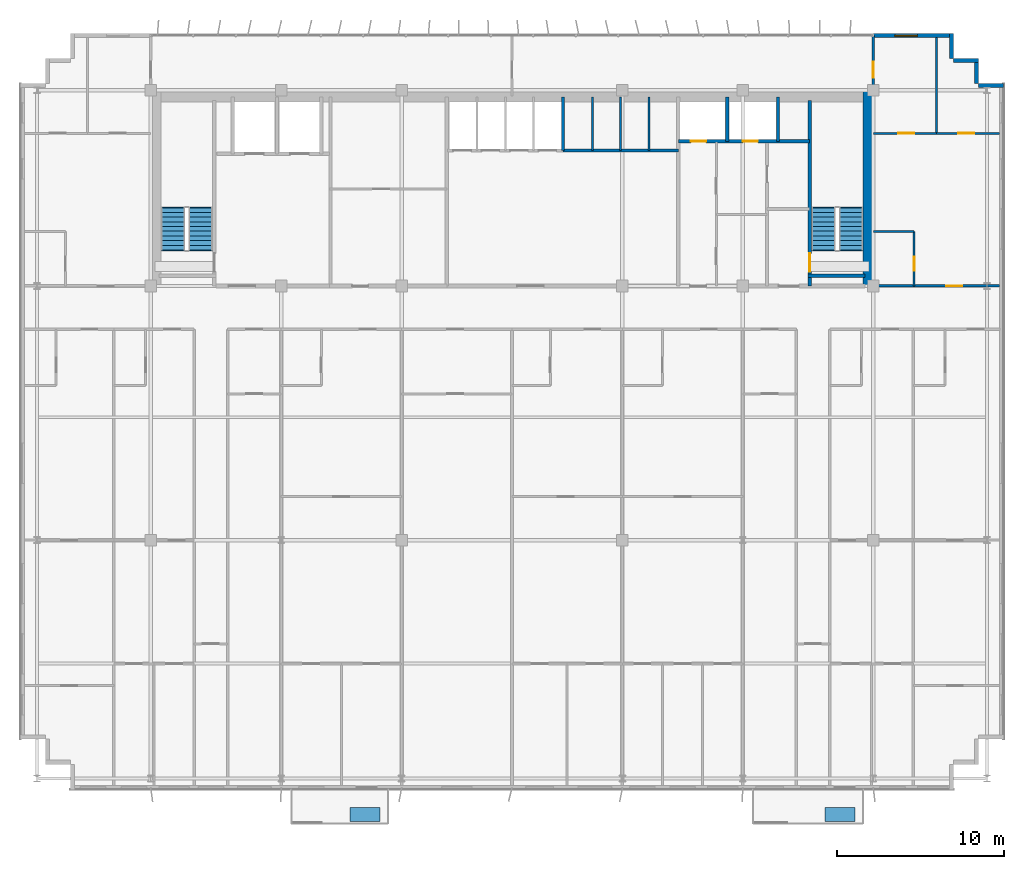
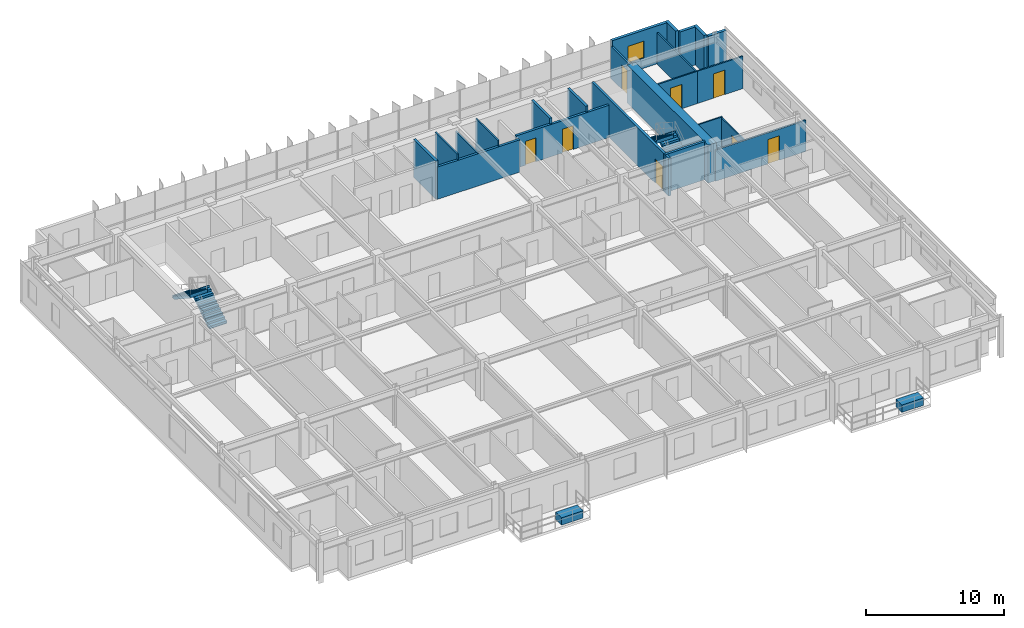
# One storey, part 19 of 21: 23 walls, 8 doors, 4 stair flights, 2 discrete accessories, 1 window, 9 openings, 2 elements without a shape of their own.
"""IFC4 building model written with IfcOpenShell, lengths in metres."""

from ifc_helpers import new_model, si_unit, direction, frame, frame_2d, origin, origin_2d, place, context, subcontext, project, spatial, polyline, rectangle, outline, extrude, source, transform, mapped, material, layer, layer_set, type_object, element, fill, aggregate, save


model = new_model("IFC4")

# Units and contexts
model_context = context("Model", 3, precision=1e-05, world=origin(), true_north=direction((0.0, 1.0)))
body_context = subcontext(model_context, "Body", "Model", "MODEL_VIEW")
ifc_project = project(units=[si_unit("LENGTHUNIT", "METRE"), si_unit("AREAUNIT", "SQUARE_METRE"), si_unit("VOLUMEUNIT", "CUBIC_METRE"), si_unit("PLANEANGLEUNIT", "RADIAN"), si_unit("MASSUNIT", "GRAM", prefix="KILO")], contexts=[model_context])

# Site, building, storey
site_placement = place(None, origin())
site = spatial("IfcSite", under=ifc_project, at=site_placement, CompositionType="ELEMENT")
building_placement = place(site_placement, origin())
building = spatial("IfcBuilding", under=site, at=building_placement, Name="Trelvane Seafront Commons", CompositionType="ELEMENT")
storey_placement = place(building_placement, frame((0.0, 0.0, 135.699951171875)))
storey = spatial("IfcBuildingStorey", under=building, at=storey_placement, Name="L35", CompositionType="ELEMENT", Elevation=135.699951171875)

# Wall, opening, window
ifc_material_1 = material(Name="Precast concrete C40/50", Category="concrete")
ifc_layer_1 = layer(ifc_material_1, 0.239990234375, Name="ARCH-WALL-EXT240")
ifc_layer_set_1 = layer_set([ifc_layer_1], Name="Precast concrete C40/50")
wall_type_1 = type_object("IfcWallType", Name="ARCH-WALL-EXT240", PredefinedType="SOLIDWALL", material=ifc_layer_set_1)
wall_1_placement = place(storey_placement, frame((58.800048828125, 48.3701171875, 0.0), z_axis=(0.0, 0.0, 1.0), x_axis=(1.0, 0.0, 0.0)))
wall_1 = element("IfcWall", 1, at=wall_1_placement, inside=storey, type_object=wall_type_1, Name="EW-L35-NE-0675", PredefinedType="SOLIDWALL", context=body_context, shape_type="SweptSolid", body=[
    extrude(rectangle(XDim=4.699951171875, YDim=0.239990234375, at=frame_2d((2.35009765625, 0.0))), origin(), (0.0, 0.0, 1.0), 3.35009765625),
])
opening_1_placement = place(wall_1_placement, frame((1.29296875, 0.0, 0.89990234375)))
opening_1 = element("IfcOpeningElement", 2, at=opening_1_placement, cuts=wall_1, Name="Opening W09", PredefinedType="OPENING", context=body_context, shape_type="SweptSolid", body=[
    extrude(rectangle(XDim=1.35009765625, YDim=1.5, at=frame_2d((0.675048828125, 0.75))), frame((0.0, 0.1298828125, 0.0), z_axis=(0.0, -1.0, 0.0), x_axis=(1.0, 0.0, 0.0)), (0.0, 0.0, 1.0), 0.260009765625),
])
ifc_material_2 = material(Name="Low-E coastal double glazing", Category="glass")
window_type = type_object("IfcWindowType", Name="ARCH-WIN-W09", PartitioningType="SINGLE_PANEL", PredefinedType="WINDOW", material=ifc_material_2)
shared_shape_1 = source(origin(), body_context, "Body", "SweptSolid", [
    extrude(rectangle(XDim=1.35009765625, YDim=1.5, at=frame_2d((0.675048828125, 0.75))), frame((0.0, 0.030029296875, 0.0), z_axis=(0.0, -1.0, 0.0), x_axis=(1.0, 0.0, 0.0)), (0.0, 0.0, 1.0), 0.06005859375),
])
window_placement = place(opening_1_placement, origin())
window = element("IfcWindow", 3, at=window_placement, inside=storey, type_object=window_type, Name="WIN-L35-00789", OverallHeight=1.5, OverallWidth=1.35009765625, PartitioningType="SINGLE_PANEL", PredefinedType="WINDOW", context=body_context, shape_type="MappedRepresentation", body=[
    mapped(shared_shape_1, transform((0.0, 0.0, 0.0), x_axis=(1.0, 0.0, 0.0), y_axis=(0.0, 1.0, 0.0), z_axis=(0.0, 0.0, 1.0), scale=1.0)),
])
fill(opening_1, window)

# Walls
for number, where, z_axis, x_axis, name in (
    (4, (63.47998046875, 48.5, 0.0), (0.0, 0.0, 1.0), (0.0, -1.0, 0.0), "EW-L35-00684"),
    (5, (63.60009765625, 46.8798828125, 0.0), (0.0, 0.0, 1.0), (1.0, 0.0, 0.0), "EW-L35-00685"),
    (6, (64.97998046875, 47.0, 0.0), (0.0, 0.0, 1.0), (0.0, -1.0, 0.0), "EW-L35-00686"),
    (7, (65.10009765625, 45.3798828125, 0.0), (0.0, 0.0, 1.0), (1.0, 0.0, 0.0), "EW-L35-00687"),
):
    element("IfcWall", number, at=place(storey_placement, frame(where, z_axis=z_axis, x_axis=x_axis)), inside=storey, type_object=wall_type_1, Name=name, PredefinedType="SOLIDWALL", context=body_context, shape_type="SweptSolid", body=[
        extrude(rectangle(XDim=1.5, YDim=0.239990234375, at=frame_2d((0.75, 0.0))), origin(), (0.0, 0.0, 1.0), 3.35009765625),
    ])
ifc_material_3 = material(Name="Gypsum Drywall Acoustic Partition")
ifc_layer_2 = layer(ifc_material_3, 0.1201171875, Name="ARCH-WALL-PART120")
ifc_layer_set_2 = layer_set([ifc_layer_2], Name="Gypsum Drywall Acoustic Partition")
wall_type_2 = type_object("IfcWallType", Name="ARCH-WALL-PART120", PredefinedType="PARTITIONING", material=ifc_layer_set_2)
wall_2_placement = place(storey_placement, frame((42.0, 41.5, 0.0), z_axis=(0.0, 0.0, 1.0), x_axis=(0.0, 1.0, 0.0)))
element("IfcWall", 8, at=wall_2_placement, inside=storey, type_object=wall_type_2, Name="W-L35-PH-DIV1-022", PredefinedType="PARTITIONING", context=body_context, shape_type="SweptSolid", body=[
    extrude(rectangle(XDim=3.199951171875, YDim=0.1201171875, at=frame_2d((1.60009765625, 0.0))), origin(), (0.0, 0.0, 1.0), 3.35009765625),
])
wall_3_placement = place(storey_placement, frame((43.699951171875, 41.5, 0.0), z_axis=(0.0, 0.0, 1.0), x_axis=(0.0, 1.0, 0.0)))
element("IfcWall", 9, at=wall_3_placement, inside=storey, type_object=wall_type_2, Name="W-L35-PH-DIV2-023", PredefinedType="PARTITIONING", context=body_context, shape_type="SweptSolid", body=[
    extrude(rectangle(XDim=3.199951171875, YDim=0.1201171875, at=frame_2d((1.60009765625, 0.0))), origin(), (0.0, 0.0, 1.0), 2.85009765625),
])
wall_4_placement = place(storey_placement, frame((45.39990234375, 41.5, 0.0), z_axis=(0.0, 0.0, 1.0), x_axis=(0.0, 1.0, 0.0)))
element("IfcWall", 10, at=wall_4_placement, inside=storey, type_object=wall_type_2, Name="W-L35-PH-DIV3-024", PredefinedType="PARTITIONING", context=body_context, shape_type="SweptSolid", body=[
    extrude(rectangle(XDim=3.199951171875, YDim=0.1201171875, at=frame_2d((1.60009765625, 0.0))), origin(), (0.0, 0.0, 1.0), 3.35009765625),
])

# Wall, opening, door
wall_5_placement = place(storey_placement, frame((61.25, 33.39990234375, 0.0), z_axis=(0.0, 0.0, 1.0), x_axis=(0.0, 1.0, 0.0)))
wall_5 = element("IfcWall", 11, at=wall_5_placement, inside=storey, type_object=wall_type_2, Name="W-L35-NE-BE-042", PredefinedType="PARTITIONING", context=body_context, shape_type="SweptSolid", body=[
    extrude(rectangle(XDim=3.25, YDim=0.1201171875, at=frame_2d((1.625, 0.0))), origin(), (0.0, 0.0, 1.0), 2.75),
])
opening_2_placement = place(wall_5_placement, frame((0.89990234375, 0.0, 0.0)))
opening_2 = element("IfcOpeningElement", 12, at=opening_2_placement, cuts=wall_5, Name="Opening D-L35-24", PredefinedType="OPENING", context=body_context, shape_type="SweptSolid", body=[
    extrude(rectangle(XDim=0.85009765625, YDim=2.10009765625, at=frame_2d((0.425048828125, 1.050048828125))), frame((0.0, 0.070068359375, 0.0), z_axis=(0.0, -1.0, 0.0), x_axis=(1.0, 0.0, 0.0)), (0.0, 0.0, 1.0), 0.14013671875),
])
ifc_material_4 = material(Name="Acoustic timber door leaf", Category="wood")
door_type_1 = type_object("IfcDoorType", Name="ARCH-DR-INT850", OperationType="NOTDEFINED", PredefinedType="DOOR", material=ifc_material_4)
shared_shape_2 = source(origin(), body_context, "Body", "SweptSolid", [
    extrude(rectangle(XDim=0.85009765625, YDim=2.10009765625, at=frame_2d((0.425048828125, 1.050048828125))), frame((0.0, 0.02490234375, 0.0), z_axis=(0.0, -1.0, 0.0), x_axis=(1.0, 0.0, 0.0)), (0.0, 0.0, 1.0), 0.050048828125),
])
door_1_placement = place(opening_2_placement, origin())
door_1 = element("IfcDoor", 13, at=door_1_placement, inside=storey, type_object=door_type_1, Name="L35 Door 24", OperationType="SINGLE_SWING_RIGHT", OverallHeight=2.10009765625, OverallWidth=0.85009765625, PredefinedType="DOOR", context=body_context, shape_type="MappedRepresentation", body=[
    mapped(shared_shape_2, transform((0.0, 0.0, 0.0), x_axis=(1.0, 0.0, 0.0), y_axis=(0.0, 1.0, 0.0), z_axis=(0.0, 0.0, 1.0), scale=1.0)),
])
fill(opening_2, door_1)

# Wall
wall_6_placement = place(storey_placement, frame((58.800048828125, 36.64990234375, 0.0), z_axis=(0.0, 0.0, 1.0), x_axis=(1.0, 0.0, 0.0)))
element("IfcWall", 14, at=wall_6_placement, inside=storey, type_object=wall_type_2, Name="W-L35-NE-BN-043", PredefinedType="PARTITIONING", context=body_context, shape_type="SweptSolid", body=[
    extrude(rectangle(XDim=2.449951171875, YDim=0.1201171875, at=frame_2d((1.22509765625, 0.0))), origin(), (0.0, 0.0, 1.0), 2.85009765625),
])

# Wall, opening, door
wall_7_placement = place(storey_placement, frame((58.800048828125, 42.52001953125, 0.0), z_axis=(0.0, 0.0, 1.0), x_axis=(1.0, 0.0, 0.0)))
wall_7 = element("IfcWall", 15, at=wall_7_placement, inside=storey, type_object=wall_type_2, Name="W-L35-NE-KB1-044", PredefinedType="PARTITIONING", context=body_context, shape_type="SweptSolid", body=[
    extrude(rectangle(XDim=3.77490234375, YDim=0.1201171875, at=frame_2d((1.887451171875, 0.0))), origin(), (0.0, 0.0, 1.0), 2.85009765625),
])
opening_3_placement = place(wall_7_placement, frame((1.506103515625, 0.0, 0.0)))
opening_3 = element("IfcOpeningElement", 16, at=opening_3_placement, cuts=wall_7, Name="Opening D-L35-25", PredefinedType="OPENING", context=body_context, shape_type="SweptSolid", body=[
    extrude(rectangle(XDim=0.949951171875, YDim=2.14990234375, at=frame_2d((0.47509765625, 1.074951171875))), frame((0.0, 0.070068359375, 0.0), z_axis=(0.0, -1.0, 0.0), x_axis=(1.0, 0.0, 0.0)), (0.0, 0.0, 1.0), 0.14013671875),
])
door_type_2 = type_object("IfcDoorType", Name="ARCH-DR-INT950", OperationType="NOTDEFINED", PredefinedType="DOOR", material=ifc_material_4)
shared_shape_3 = source(origin(), body_context, "Body", "SweptSolid", [
    extrude(rectangle(XDim=0.949951171875, YDim=2.14990234375, at=frame_2d((0.47509765625, 1.074951171875))), frame((0.0, 0.02490234375, 0.0), z_axis=(0.0, -1.0, 0.0), x_axis=(1.0, 0.0, 0.0)), (0.0, 0.0, 1.0), 0.050048828125),
])
door_2_placement = place(opening_3_placement, origin())
door_2 = element("IfcDoor", 17, at=door_2_placement, inside=storey, type_object=door_type_2, Name="L35 Door 25", OperationType="SINGLE_SWING_LEFT", OverallHeight=2.14990234375, OverallWidth=0.949951171875, PredefinedType="DOOR", context=body_context, shape_type="MappedRepresentation", body=[
    mapped(shared_shape_3, transform((0.0, 0.0, 0.0), x_axis=(1.0, 0.0, 0.0), y_axis=(0.0, 1.0, 0.0), z_axis=(0.0, 0.0, 1.0), scale=1.0)),
])
fill(opening_3, door_2)

wall_8_placement = place(storey_placement, frame((62.574951171875, 42.52001953125, 0.0), z_axis=(0.0, 0.0, 1.0), x_axis=(1.0, 0.0, 0.0)))
wall_8 = element("IfcWall", 18, at=wall_8_placement, inside=storey, type_object=wall_type_2, Name="W-L35-NE-KB2-045", PredefinedType="PARTITIONING", context=body_context, shape_type="SweptSolid", body=[
    extrude(rectangle(XDim=3.775146484375, YDim=0.1201171875, at=frame_2d((1.8876953125, 0.0))), origin(), (0.0, 0.0, 1.0), 2.85009765625),
])
opening_4_placement = place(wall_8_placement, frame((1.319091796875, 0.0, 0.0)))
opening_4 = element("IfcOpeningElement", 19, at=opening_4_placement, cuts=wall_8, Name="Opening D-L35-26", PredefinedType="OPENING", context=body_context, shape_type="SweptSolid", body=[
    extrude(rectangle(XDim=0.949951171875, YDim=2.14990234375, at=frame_2d((0.47509765625, 1.074951171875))), frame((0.0, 0.070068359375, 0.0), z_axis=(0.0, -1.0, 0.0), x_axis=(1.0, 0.0, 0.0)), (0.0, 0.0, 1.0), 0.14013671875),
])
door_3_placement = place(opening_4_placement, origin())
door_3 = element("IfcDoor", 20, at=door_3_placement, inside=storey, type_object=door_type_2, Name="L35 Door 26", OperationType="SINGLE_SWING_RIGHT", OverallHeight=2.14990234375, OverallWidth=0.949951171875, PredefinedType="DOOR", context=body_context, shape_type="MappedRepresentation", body=[
    mapped(shared_shape_3, transform((0.0, 0.0, 0.0), x_axis=(1.0, 0.0, 0.0), y_axis=(0.0, 1.0, 0.0), z_axis=(0.0, 0.0, 1.0), scale=1.0)),
])
fill(opening_4, door_3)

# Wall
wall_9_placement = place(storey_placement, frame((62.574951171875, 42.52001953125, 0.0), z_axis=(0.0, 0.0, 1.0), x_axis=(0.0, 1.0, 0.0)))
element("IfcWall", 21, at=wall_9_placement, inside=storey, type_object=wall_type_2, Name="W-L35-NE-KBDV-046", PredefinedType="PARTITIONING", context=body_context, shape_type="SweptSolid", body=[
    extrude(rectangle(XDim=5.739990234375, YDim=0.1201171875, at=frame_2d((2.8701171875, 0.0))), origin(), (0.0, 0.0, 1.0), 2.75),
])

# Wall, opening, door
ifc_layer_3 = layer(ifc_material_3, 0.14990234375, Name="ARCH-WALL-PART150")
ifc_layer_set_3 = layer_set([ifc_layer_3], Name="Gypsum Drywall Acoustic Partition")
wall_type_3 = type_object("IfcWallType", Name="ARCH-WALL-PART150", PredefinedType="PARTITIONING", material=ifc_layer_set_3)
wall_10_placement = place(storey_placement, frame((58.800048828125, 33.39990234375, 0.0), z_axis=(0.0, 0.0, 1.0), x_axis=(1.0, 0.0, 0.0)))
wall_10 = element("IfcWall", 22, at=wall_10_placement, inside=storey, type_object=wall_type_3, Name="W-L35-NE-ENT-047", PredefinedType="PARTITIONING", context=body_context, shape_type="SweptSolid", body=[
    extrude(rectangle(XDim=7.550048828125, YDim=0.14990234375, at=frame_2d((3.77490234375, 0.0))), origin(), (0.0, 0.0, 1.0), 2.75),
])
opening_5_placement = place(wall_10_placement, frame((4.375, 0.0, 0.0)))
opening_5 = element("IfcOpeningElement", 23, at=opening_5_placement, cuts=wall_10, Name="Opening FD-L35-27", PredefinedType="OPENING", context=body_context, shape_type="SweptSolid", body=[
    extrude(rectangle(XDim=0.949951171875, YDim=2.14990234375, at=frame_2d((0.47509765625, 1.074951171875))), frame((0.0, 0.0849609375, 0.0), z_axis=(0.0, -1.0, 0.0), x_axis=(1.0, 0.0, 0.0)), (0.0, 0.0, 1.0), 0.169921875),
])
ifc_material_5 = material(Name="Powder-coated aluminium frame", Category="aluminium")
door_type_3 = type_object("IfcDoorType", Name="ARCH-DR-FD60-950", OperationType="NOTDEFINED", PredefinedType="DOOR", material=ifc_material_5)
door_4_placement = place(opening_5_placement, origin())
door_4 = element("IfcDoor", 24, at=door_4_placement, inside=storey, type_object=door_type_3, Name="L35 NE Flat Entrance Door", OperationType="SINGLE_SWING_LEFT", OverallHeight=2.14990234375, OverallWidth=0.949951171875, PredefinedType="DOOR", context=body_context, shape_type="MappedRepresentation", body=[
    mapped(shared_shape_3, transform((0.0, 0.0, 0.0), x_axis=(1.0, 0.0, 0.0), y_axis=(0.0, 1.0, 0.0), z_axis=(0.0, 0.0, 1.0), scale=1.0)),
])
fill(opening_5, door_4)

wall_11_placement = place(storey_placement, frame((58.800048828125, 44.75, 0.0), z_axis=(0.0, 0.0, 1.0), x_axis=(0.0, 1.0, 0.0)))
wall_11 = element("IfcWall", 25, at=wall_11_placement, inside=storey, type_object=wall_type_3, Name="W-L35-N-LINK-E-050", PredefinedType="PARTITIONING", context=body_context, shape_type="SweptSolid", body=[
    extrude(rectangle(XDim=3.610107421875, YDim=0.14990234375, at=frame_2d((1.80517578125, 0.0))), origin(), (0.0, 0.0, 1.0), 2.85009765625),
])
opening_6_placement = place(wall_11_placement, frame((1.10009765625, 0.0, 0.0)))
opening_6 = element("IfcOpeningElement", 26, at=opening_6_placement, cuts=wall_11, Name="Opening FD-L35-30", PredefinedType="OPENING", context=body_context, shape_type="SweptSolid", body=[
    extrude(rectangle(XDim=0.949951171875, YDim=2.14990234375, at=frame_2d((0.47509765625, 1.074951171875))), frame((0.0, 0.0849609375, 0.0), z_axis=(0.0, -1.0, 0.0), x_axis=(1.0, 0.0, 0.0)), (0.0, 0.0, 1.0), 0.169921875),
])
door_5_placement = place(opening_6_placement, origin())
door_5 = element("IfcDoor", 27, at=door_5_placement, inside=storey, type_object=door_type_3, Name="L35 Door 30", OperationType="SINGLE_SWING_RIGHT", OverallHeight=2.14990234375, OverallWidth=0.949951171875, PredefinedType="DOOR", context=body_context, shape_type="MappedRepresentation", body=[
    mapped(shared_shape_3, transform((0.0, 0.0, 0.0), x_axis=(1.0, 0.0, 0.0), y_axis=(0.0, 1.0, 0.0), z_axis=(0.0, 0.0, 1.0), scale=1.0)),
])
fill(opening_6, door_5)

# Walls
ifc_material_6 = material(Name="Concrete C40/50", Category="concrete")
ifc_layer_4 = layer(ifc_material_6, 0.199951171875, Name="ARCH-WALL-SHAFT200")
ifc_layer_set_4 = layer_set([ifc_layer_4], Name="Concrete C40/50")
wall_type_4 = type_object("IfcWallType", Name="ARCH-WALL-SHAFT200", PredefinedType="SOLIDWALL", material=ifc_layer_set_4)
wall_12_placement = place(storey_placement, frame((40.25, 41.5, 0.0), z_axis=(0.0, 0.0, 1.0), x_axis=(1.0, 0.0, 0.0)))
element("IfcWall", 28, at=wall_12_placement, inside=storey, type_object=wall_type_4, Name="W-L35-PH-FRONT-020", PredefinedType="SOLIDWALL", context=body_context, shape_type="SweptSolid", body=[
    extrude(rectangle(XDim=6.89990234375, YDim=0.199951171875, at=frame_2d((3.449951171875, 0.0))), origin(), (0.0, 0.0, 1.0), 2.85009765625),
])
wall_13_placement = place(storey_placement, frame((40.25, 41.5, 0.0), z_axis=(0.0, 0.0, 1.0), x_axis=(0.0, 1.0, 0.0)))
element("IfcWall", 29, at=wall_13_placement, inside=storey, type_object=wall_type_4, Name="W-L35-PH-WEST-SH-021", PredefinedType="SOLIDWALL", context=body_context, shape_type="SweptSolid", body=[
    extrude(rectangle(XDim=3.199951171875, YDim=0.199951171875, at=frame_2d((1.60009765625, 0.0))), origin(), (0.0, 0.0, 1.0), 3.35009765625),
])

# Wall, openings, doors
wall_14_placement = place(storey_placement, frame((47.14990234375, 42.050048828125, 0.0), z_axis=(0.0, 0.0, 1.0), x_axis=(1.0, 0.0, 0.0)))
wall_14 = element("IfcWall", 30, at=wall_14_placement, inside=storey, type_object=wall_type_4, Name="W-L35-RSR-S-028", PredefinedType="SOLIDWALL", context=body_context, shape_type="SweptSolid", body=[
    extrude(rectangle(XDim=7.85009765625, YDim=0.199951171875, at=frame_2d((3.925048828125, 0.0))), origin(), (0.0, 0.0, 1.0), 2.85009765625),
])
opening_7_placement = place(wall_14_placement, frame((0.75, 0.0, 0.0)))
opening_7 = element("IfcOpeningElement", 31, at=opening_7_placement, cuts=wall_14, Name="Opening FD-L35-13", PredefinedType="OPENING", context=body_context, shape_type="SweptSolid", body=[
    extrude(rectangle(XDim=0.89990234375, YDim=2.10009765625, at=frame_2d((0.449951171875, 1.050048828125))), frame((0.0, 0.10986328125, 0.0), z_axis=(0.0, -1.0, 0.0), x_axis=(1.0, 0.0, 0.0)), (0.0, 0.0, 1.0), 0.219970703125),
])
opening_8_placement = place(wall_14_placement, frame((3.85009765625, 0.0, 0.0)))
opening_8 = element("IfcOpeningElement", 32, at=opening_8_placement, cuts=wall_14, Name="Opening FD-L35-14", PredefinedType="OPENING", context=body_context, shape_type="SweptSolid", body=[
    extrude(rectangle(XDim=0.89990234375, YDim=2.10009765625, at=frame_2d((0.449951171875, 1.050048828125))), frame((0.0, 0.10986328125, 0.0), z_axis=(0.0, -1.0, 0.0), x_axis=(1.0, 0.0, 0.0)), (0.0, 0.0, 1.0), 0.219970703125),
])
door_type_4 = type_object("IfcDoorType", Name="ARCH-DR-FD60-900", OperationType="NOTDEFINED", PredefinedType="DOOR", material=ifc_material_5)
shared_shape_4 = source(origin(), body_context, "Body", "SweptSolid", [
    extrude(rectangle(XDim=0.89990234375, YDim=2.10009765625, at=frame_2d((0.449951171875, 1.050048828125))), frame((0.0, 0.02490234375, 0.0), z_axis=(0.0, -1.0, 0.0), x_axis=(1.0, 0.0, 0.0)), (0.0, 0.0, 1.0), 0.050048828125),
])
door_6_placement = place(opening_7_placement, origin())
door_6 = element("IfcDoor", 33, at=door_6_placement, inside=storey, type_object=door_type_4, Name="L35 Electrical Riser Access Door", OperationType="SINGLE_SWING_LEFT", OverallHeight=2.10009765625, OverallWidth=0.89990234375, PredefinedType="DOOR", context=body_context, shape_type="MappedRepresentation", body=[
    mapped(shared_shape_4, transform((0.0, 0.0, 0.0), x_axis=(1.0, 0.0, 0.0), y_axis=(0.0, 1.0, 0.0), z_axis=(0.0, 0.0, 1.0), scale=1.0)),
])
fill(opening_7, door_6)
door_7_placement = place(opening_8_placement, origin())
door_7 = element("IfcDoor", 34, at=door_7_placement, inside=storey, type_object=door_type_4, Name="L35 Mechanical Riser Access Door", OperationType="SINGLE_SWING_RIGHT", OverallHeight=2.10009765625, OverallWidth=0.89990234375, PredefinedType="DOOR", context=body_context, shape_type="MappedRepresentation", body=[
    mapped(shared_shape_4, transform((0.0, 0.0, 0.0), x_axis=(1.0, 0.0, 0.0), y_axis=(0.0, 1.0, 0.0), z_axis=(0.0, 0.0, 1.0), scale=1.0)),
])
fill(opening_8, door_7)

# Walls
for number, where, z_axis, x_axis, name in (
    (35, (50.080078125, 42.050048828125, 0.0), (0.0, 0.0, 1.0), (0.0, 1.0, 0.0), "W-L35-RSR-DIV-029"),
    (36, (53.10009765625, 42.050048828125, 0.0), (0.0, 0.0, 1.0), (0.0, 1.0, 0.0), "W-L35-RSR-E-030"),
):
    element("IfcWall", number, at=place(storey_placement, frame(where, z_axis=z_axis, x_axis=x_axis)), inside=storey, type_object=wall_type_4, Name=name, PredefinedType="SOLIDWALL", context=body_context, shape_type="SweptSolid", body=[
        extrude(rectangle(XDim=2.64990234375, YDim=0.199951171875, at=frame_2d((1.324951171875, 0.0))), origin(), (0.0, 0.0, 1.0), 3.35009765625),
    ])
ifc_material_7 = material(Name="Concrete C60/75", Category="concrete")
ifc_layer_5 = layer(ifc_material_7, 0.699951171875, Name="STR-WALL-CORE700")
ifc_layer_set_5 = layer_set([ifc_layer_5], Name="Concrete C60/75")
wall_type_5 = type_object("IfcWallType", Name="STR-WALL-CORE700", PredefinedType="SHEAR", material=ifc_layer_set_5)
wall_15_placement = place(storey_placement, frame((58.550048828125, 33.39990234375, 0.0), z_axis=(0.0, 0.0, 1.0), x_axis=(0.0, 1.0, 0.0)))
element("IfcWall", 37, at=wall_15_placement, inside=storey, type_object=wall_type_5, Name="W-L35-CE-END-003", PredefinedType="SHEAR", context=body_context, shape_type="SweptSolid", body=[
    extrude(rectangle(XDim=11.7001953125, YDim=0.699951171875, at=frame_2d((5.85009765625, 0.0))), origin(), (0.0, 0.0, 1.0), 3.35009765625),
])
ifc_material_8 = material(Name="Concrete C50/60", Category="concrete")
ifc_layer_6 = layer(ifc_material_8, 0.199951171875, Name="STR-WALL-STAIR200")
ifc_layer_set_6 = layer_set([ifc_layer_6], Name="Concrete C50/60")
wall_type_6 = type_object("IfcWallType", Name="STR-WALL-STAIR200", PredefinedType="SHEAR", material=ifc_layer_set_6)
wall_16_placement = place(storey_placement, frame((54.89990234375, 34.0, 0.0), z_axis=(0.0, 0.0, 1.0), x_axis=(1.0, 0.0, 0.0)))
element("IfcWall", 38, at=wall_16_placement, inside=storey, type_object=wall_type_6, Name="W-L35-ST2-S-006", PredefinedType="SHEAR", context=body_context, shape_type="SweptSolid", body=[
    extrude(rectangle(XDim=3.400146484375, YDim=0.199951171875, at=frame_2d((1.7001953125, 0.0))), origin(), (0.0, 0.0, 1.0), 3.35009765625),
])

# Wall, opening, door
wall_17_placement = place(storey_placement, frame((55.0, 33.39990234375, 0.0), z_axis=(0.0, 0.0, 1.0), x_axis=(0.0, 1.0, 0.0)))
wall_17 = element("IfcWall", 39, at=wall_17_placement, inside=storey, type_object=wall_type_6, Name="W-L35-ST2-W-007", PredefinedType="SHEAR", context=body_context, shape_type="SweptSolid", body=[
    extrude(rectangle(XDim=11.10009765625, YDim=0.199951171875, at=frame_2d((5.550048828125, 0.0))), origin(), (0.0, 0.0, 1.0), 3.35009765625),
])
opening_9_placement = place(wall_17_placement, frame((0.85009765625, 0.0, 0.0)))
opening_9 = element("IfcOpeningElement", 40, at=opening_9_placement, cuts=wall_17, Name="Opening ST-D2-L35", PredefinedType="OPENING", context=body_context, shape_type="SweptSolid", body=[
    extrude(rectangle(XDim=1.10009765625, YDim=2.14990234375, at=frame_2d((0.550048828125, 1.074951171875))), frame((0.0, 0.10986328125, 0.0), z_axis=(0.0, -1.0, 0.0), x_axis=(1.0, 0.0, 0.0)), (0.0, 0.0, 1.0), 0.219970703125),
])
door_type_5 = type_object("IfcDoorType", Name="ARCH-DR-FD90-1100", OperationType="NOTDEFINED", PredefinedType="DOOR", material=ifc_material_5)
shared_shape_5 = source(origin(), body_context, "Body", "SweptSolid", [
    extrude(rectangle(XDim=1.10009765625, YDim=2.14990234375, at=frame_2d((0.550048828125, 1.074951171875))), frame((0.0, 0.02490234375, 0.0), z_axis=(0.0, -1.0, 0.0), x_axis=(1.0, 0.0, 0.0)), (0.0, 0.0, 1.0), 0.050048828125),
])
door_8_placement = place(opening_9_placement, origin())
door_8 = element("IfcDoor", 41, at=door_8_placement, inside=storey, type_object=door_type_5, Name="L35 Stair ST-2 Vestibule Fire Door", OperationType="SINGLE_SWING_RIGHT", OverallHeight=2.14990234375, OverallWidth=1.10009765625, PredefinedType="DOOR", context=body_context, shape_type="MappedRepresentation", body=[
    mapped(shared_shape_5, transform((0.0, 0.0, 0.0), x_axis=(1.0, 0.0, 0.0), y_axis=(0.0, 1.0, 0.0), z_axis=(0.0, 0.0, 1.0), scale=1.0)),
])
fill(opening_9, door_8)

# Stair, stair flights
stair_type_1 = type_object("IfcStairType", Name="ARCH-STR-ST-1-R20-180", PredefinedType="HALF_TURN_STAIR", material=ifc_material_6)
stair_1_placement = place(storey_placement, origin())
stair_1 = element("IfcStair", 42, at=stair_1_placement, inside=storey, type_object=stair_type_1, Name="L35 West Protected Firefighting Exit Stair ST-1", PredefinedType="HALF_TURN_STAIR")
stair_flight_type_1 = type_object("IfcStairFlightType", Name="ARCH-FLG-ST-1-R20-180", PredefinedType="STRAIGHT", material=ifc_material_6)
shared_shape_6 = source(origin(), body_context, "Body", "SweptSolid", [
    extrude(outline(polyline([(-0.050048828125, -0.02001953125), (-0.050048828125, 0.0), (0.0, 0.0), (0.0, 0.179931640625), (0.280029296875, 0.179931640625), (0.280029296875, 0.360107421875), (0.56005859375, 0.360107421875), (0.56005859375, 0.5400390625), (0.840087890625, 0.5400390625), (0.840087890625, 0.719970703125), (1.1201171875, 0.719970703125), (1.1201171875, 0.89990234375), (1.39990234375, 0.89990234375), (1.39990234375, 1.080078125), (1.679931640625, 1.080078125), (1.679931640625, 1.260009765625), (1.9599609375, 1.260009765625), (1.9599609375, 1.43994140625), (2.239990234375, 1.43994140625), (2.239990234375, 1.6201171875), (2.52001953125, 1.6201171875), (2.52001953125, 1.800048828125), (2.570068359375, 1.800048828125), (2.570068359375, 1.650146484375), (2.52001953125, 1.44189453125), (0.277099609375, -0.02001953125), (-0.050048828125, -0.02001953125)])), frame((0.0, 0.72509765625, 0.0), z_axis=(0.0, -1.0, 0.0), x_axis=(1.0, 0.0, 0.0)), (0.0, 0.0, 1.0), 1.449951171875),
])
stair_flight_1_placement = place(storey_placement, frame((18.574951171875, 35.550048828125, 0.0), z_axis=(0.0, 0.0, 1.0), x_axis=(0.0, 1.0, 0.0)))
stair_flight_1 = element("IfcStairFlight", 43, at=stair_flight_1_placement, type_object=stair_flight_type_1, Name="ST-1 flight 1", NumberOfRisers=10, NumberOfTreads=9, PredefinedType="STRAIGHT", RiserHeight=0.18, TreadLength=0.28, context=body_context, shape_type="MappedRepresentation", body=[
    mapped(shared_shape_6, transform((0.0, 0.0, 0.0), x_axis=(1.0, 0.0, 0.0), y_axis=(0.0, 1.0, 0.0), z_axis=(0.0, 0.0, 1.0), scale=1.0)),
])
stair_flight_2_placement = place(storey_placement, frame((16.925048828125, 38.070068359375, 1.800048828125), z_axis=(0.0, 0.0, 1.0), x_axis=(0.0, -1.0, 0.0)))
stair_flight_2 = element("IfcStairFlight", 44, at=stair_flight_2_placement, type_object=stair_flight_type_1, Name="ST-1 flight 2", NumberOfRisers=10, NumberOfTreads=9, PredefinedType="STRAIGHT", RiserHeight=0.18, TreadLength=0.28, context=body_context, shape_type="MappedRepresentation", body=[
    mapped(shared_shape_6, transform((0.0, 0.0, 0.0), x_axis=(1.0, 0.0, 0.0), y_axis=(0.0, 1.0, 0.0), z_axis=(0.0, 0.0, 1.0), scale=1.0)),
])
aggregate(stair_1, [stair_flight_1, stair_flight_2])

stair_type_2 = type_object("IfcStairType", Name="ARCH-STR-ST-2-R20-180", PredefinedType="HALF_TURN_STAIR", material=ifc_material_6)
stair_2_placement = place(storey_placement, origin())
stair_2 = element("IfcStair", 45, at=stair_2_placement, inside=storey, type_object=stair_type_2, Name="L35 East Protected Firefighting Exit Stair ST-2", PredefinedType="HALF_TURN_STAIR")
stair_flight_type_2 = type_object("IfcStairFlightType", Name="ARCH-FLG-ST-2-R20-180", PredefinedType="STRAIGHT", material=ifc_material_6)
stair_flight_3_placement = place(storey_placement, frame((57.47509765625, 35.550048828125, 0.0), z_axis=(0.0, 0.0, 1.0), x_axis=(0.0, 1.0, 0.0)))
stair_flight_3 = element("IfcStairFlight", 46, at=stair_flight_3_placement, type_object=stair_flight_type_2, Name="ST-2 flight 1", NumberOfRisers=10, NumberOfTreads=9, PredefinedType="STRAIGHT", RiserHeight=0.18, TreadLength=0.28, context=body_context, shape_type="MappedRepresentation", body=[
    mapped(shared_shape_6, transform((0.0, 0.0, 0.0), x_axis=(1.0, 0.0, 0.0), y_axis=(0.0, 1.0, 0.0), z_axis=(0.0, 0.0, 1.0), scale=1.0)),
])
stair_flight_4_placement = place(storey_placement, frame((55.824951171875, 38.070068359375, 1.800048828125), z_axis=(0.0, 0.0, 1.0), x_axis=(0.0, -1.0, 0.0)))
stair_flight_4 = element("IfcStairFlight", 47, at=stair_flight_4_placement, type_object=stair_flight_type_2, Name="ST-2 flight 2", NumberOfRisers=10, NumberOfTreads=9, PredefinedType="STRAIGHT", RiserHeight=0.18, TreadLength=0.28, context=body_context, shape_type="MappedRepresentation", body=[
    mapped(shared_shape_6, transform((0.0, 0.0, 0.0), x_axis=(1.0, 0.0, 0.0), y_axis=(0.0, 1.0, 0.0), z_axis=(0.0, 0.0, 1.0), scale=1.0)),
])
aggregate(stair_2, [stair_flight_3, stair_flight_4])

# Discrete accessories
discrete_accessory_type = type_object("IfcDiscreteAccessoryType", Name="ARCH-ACC-PLANTER", PredefinedType="USERDEFINED", material=ifc_material_1)
shared_shape_7 = source(origin(), body_context, "Body", "SweptSolid", [
    extrude(rectangle(XDim=1.800048828125, YDim=0.85009765625, at=origin_2d()), origin(), (0.0, 0.0, 1.0), 0.64990234375),
])
for number, where, z_axis, x_axis, name in (
    (48, (28.39990234375, 1.800048828125, 0.0), (0.0, 0.0, 1.0), (1.0, 0.0, 0.0), "PLN-L35-B0-040"),
    (49, (56.800048828125, 1.800048828125, 0.0), (0.0, 0.0, 1.0), (1.0, 0.0, 0.0), "PLN-L35-B1-041"),
):
    element("IfcDiscreteAccessory", number, at=place(storey_placement, frame(where, z_axis=z_axis, x_axis=x_axis)), inside=storey, type_object=discrete_accessory_type, Name=name, ObjectType="BALCONY TREE PLANTER", PredefinedType="USERDEFINED", context=body_context, shape_type="MappedRepresentation", body=[
        mapped(shared_shape_7, transform((0.0, 0.0, 0.0), x_axis=(1.0, 0.0, 0.0), y_axis=(0.0, 1.0, 0.0), z_axis=(0.0, 0.0, 1.0), scale=1.0)),
    ])

save(model, "model.ifc")
